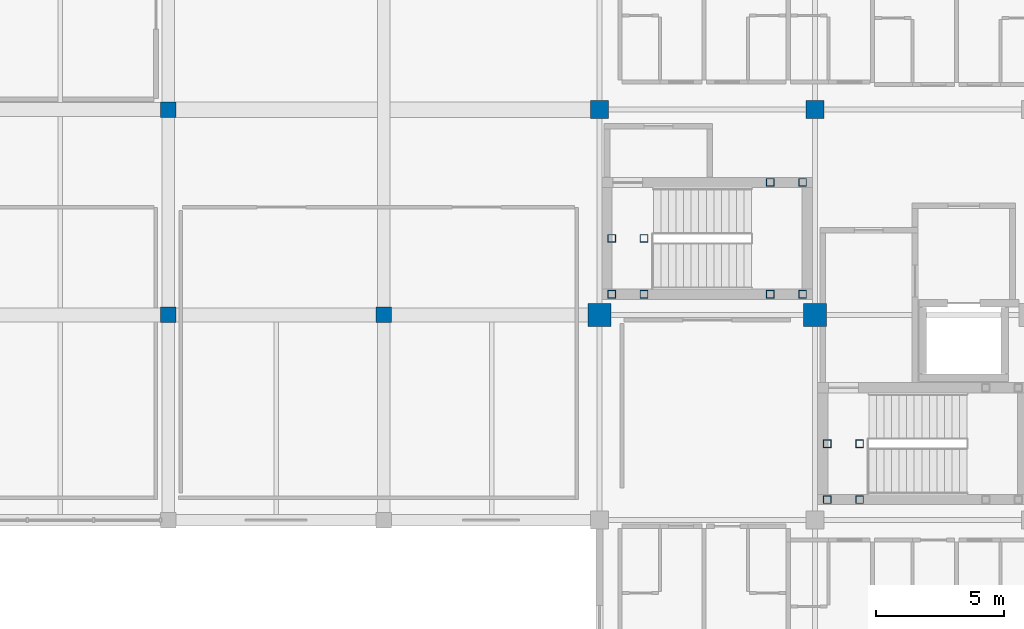
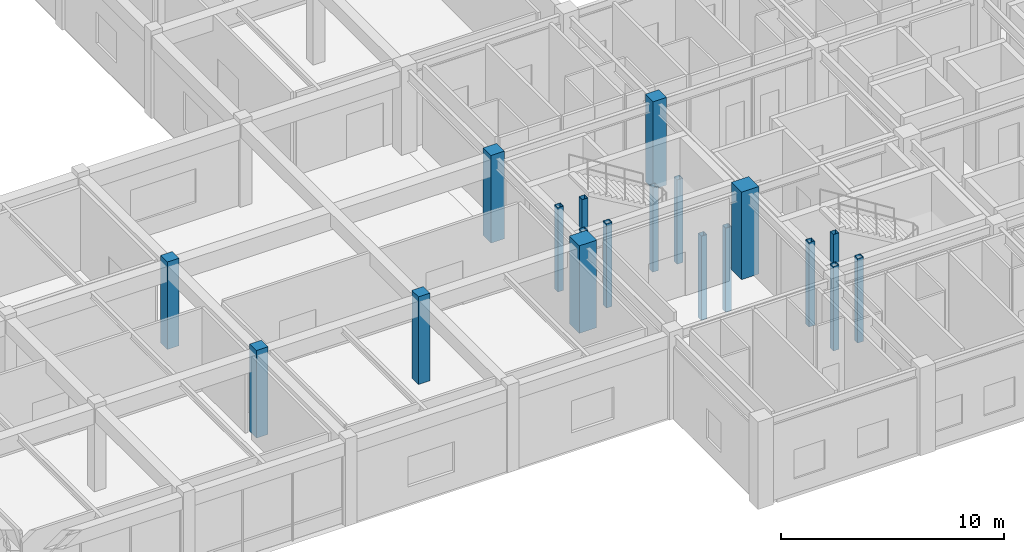
# One storey, part 2 of 37: 19 columns.
"""IFC4 building model written with IfcOpenShell, lengths in metres."""

from ifc_helpers import new_model, si_unit, direction, frame, origin, origin_2d, place, context, subcontext, project, spatial, rectangle, hollow_rectangle, extrude, material, material_profile, profile_set, type_object, element, save


model = new_model("IFC4")

# Units and contexts
model_context = context("Model", 3, precision=1e-05, world=origin(), true_north=direction((0.0, 1.0)))
body_context = subcontext(model_context, "Body", "Model", "MODEL_VIEW")
ifc_project = project(units=[si_unit("LENGTHUNIT", "METRE"), si_unit("AREAUNIT", "SQUARE_METRE"), si_unit("VOLUMEUNIT", "CUBIC_METRE"), si_unit("PLANEANGLEUNIT", "RADIAN"), si_unit("MASSUNIT", "GRAM", prefix="KILO")], contexts=[model_context])

# Site, building, storey
site_placement = place(None, origin())
site = spatial("IfcSite", under=ifc_project, at=site_placement, CompositionType="ELEMENT")
building_placement = place(site_placement, origin())
building = spatial("IfcBuilding", under=site, at=building_placement, Name="Naruveol Harbour Congress Hotel", CompositionType="ELEMENT")
storey_placement = place(building_placement, frame((0.0, 0.0, 16.199951171875)))
storey = spatial("IfcBuildingStorey", under=building, at=storey_placement, Name="L03", CompositionType="ELEMENT", Elevation=16.199951171875)

# Columns
ifc_material_1 = material(Name="Concrete C40/50", Category="concrete")
ifc_material_profile_1 = material_profile(ifc_material_1, rectangle(XDim=0.699951171875, YDim=0.699951171875, at=origin_2d()), Name="RC-700x700")
ifc_profile_set_1 = profile_set([ifc_material_profile_1], Name="Concrete C40/50")
column_type_1 = type_object("IfcColumnType", Name="RC HOTEL COLUMN 700X700", PredefinedType="COLUMN", material=ifc_profile_set_1)
for number, where, z_axis, x_axis, name in (
    (1, (117.60009765625, 24.0, 0.0), (0.0, 0.0, 1.0), (1.0, 0.0, 0.0), "Planted hotel column C-700 L03 S0/J3"),
    (2, (126.0, 24.0, 0.0), (0.0, 0.0, 1.0), (1.0, 0.0, 0.0), "Planted hotel column C-700 L03 S1/J3"),
):
    element("IfcColumn", number, at=place(storey_placement, frame(where, z_axis=z_axis, x_axis=x_axis)), inside=storey, type_object=column_type_1, Name=name, PredefinedType="COLUMN", context=body_context, shape_type="SweptSolid", body=[
        extrude(rectangle(XDim=0.699951171875, YDim=0.699951171875, at=origin_2d()), origin(), (0.0, 0.0, 1.0), 4.800048828125),
    ])
ifc_material_2 = material(Name="Concrete C50/60", Category="concrete")
ifc_material_profile_2 = material_profile(ifc_material_2, rectangle(XDim=0.89990234375, YDim=0.89990234375, at=origin_2d()), Name="RC-900x900")
ifc_profile_set_2 = profile_set([ifc_material_profile_2], Name="Concrete C50/60")
column_type_2 = type_object("IfcColumnType", Name="RC PRIMARY COLUMN 900X900", PredefinedType="COLUMN", material=ifc_profile_set_2)
for number, where, z_axis, x_axis, name in (
    (3, (117.60009765625, 16.0, 0.0), (0.0, 0.0, 1.0), (1.0, 0.0, 0.0), "Column C-900 L03 (117.6,16.0)"),
    (4, (126.0, 16.0, 0.0), (0.0, 0.0, 1.0), (1.0, 0.0, 0.0), "Column C-900 L03 (126.0,16.0)"),
):
    element("IfcColumn", number, at=place(storey_placement, frame(where, z_axis=z_axis, x_axis=x_axis)), inside=storey, type_object=column_type_2, Name=name, PredefinedType="COLUMN", context=body_context, shape_type="SweptSolid", body=[
        extrude(rectangle(XDim=0.89990234375, YDim=0.89990234375, at=origin_2d()), origin(), (0.0, 0.0, 1.0), 4.800048828125),
    ])
ifc_material_3 = material(Name="Concrete C40/50", Category="concrete")
ifc_material_profile_3 = material_profile(ifc_material_3, rectangle(XDim=0.60009765625, YDim=0.60009765625, at=origin_2d()), Name="RC-600x600")
ifc_profile_set_3 = profile_set([ifc_material_profile_3], Name="Concrete C40/50")
column_type_3 = type_object("IfcColumnType", Name="RC UPPER COLUMN 600X600", PredefinedType="COLUMN", material=ifc_profile_set_3)
for number, where, z_axis, x_axis, name in (
    (5, (100.800048828125, 16.0, 0.0), (0.0, 0.0, 1.0), (1.0, 0.0, 0.0), "Column C-600 L03 (100.8,16.0)"),
    (6, (100.800048828125, 24.0, 0.0), (0.0, 0.0, 1.0), (1.0, 0.0, 0.0), "Column C-600 L03 (100.8,24.0)"),
    (7, (109.199951171875, 16.0, 0.0), (0.0, 0.0, 1.0), (1.0, 0.0, 0.0), "Column C-600 L03 (109.2,16.0)"),
):
    element("IfcColumn", number, at=place(storey_placement, frame(where, z_axis=z_axis, x_axis=x_axis)), inside=storey, type_object=column_type_3, Name=name, PredefinedType="COLUMN", context=body_context, shape_type="SweptSolid", body=[
        extrude(rectangle(XDim=0.60009765625, YDim=0.60009765625, at=origin_2d()), origin(), (0.0, 0.0, 1.0), 4.800048828125),
    ])
ifc_material_4 = material(Name="Steel SN490", Category="steel")
ifc_material_profile_4 = material_profile(ifc_material_4, hollow_rectangle(XDim=0.300048828125, YDim=0.300048828125, WallThickness=0.011962890625, at=origin_2d()), Name="SHS-300x300x12")
ifc_profile_set_4 = profile_set([ifc_material_profile_4], Name="Steel SN490")
column_type_4 = type_object("IfcColumnType", Name="STEEL COLONNADE POST SHS300", PredefinedType="COLUMN", material=ifc_profile_set_4)
for number, where, z_axis, x_axis, name in (
    (8, (126.47998046875, 8.800048828125, 0.0), (0.0, 0.0, 1.0), (1.0, 0.0, 0.0), "Stair landing support post ST1W #5"),
    (9, (126.47998046875, 10.97998046875, 0.0), (0.0, 0.0, 1.0), (1.0, 0.0, 0.0), "Stair landing support post ST1W #17"),
    (10, (127.739990234375, 8.800048828125, 0.0), (0.0, 0.0, 1.0), (1.0, 0.0, 0.0), "Stair landing support post ST1W #29"),
    (11, (127.739990234375, 10.97998046875, 0.0), (0.0, 0.0, 1.0), (1.0, 0.0, 0.0), "Stair landing support post ST1W #41"),
    (12, (118.080078125, 16.800048828125, 0.0), (0.0, 0.0, 1.0), (1.0, 0.0, 0.0), "Stair landing support post ST3W #197"),
    (13, (118.080078125, 18.97998046875, 0.0), (0.0, 0.0, 1.0), (1.0, 0.0, 0.0), "Stair landing support post ST3W #207"),
    (14, (119.340087890625, 16.800048828125, 0.0), (0.0, 0.0, 1.0), (1.0, 0.0, 0.0), "Stair landing support post ST3W #217"),
    (15, (119.340087890625, 18.97998046875, 0.0), (0.0, 0.0, 1.0), (1.0, 0.0, 0.0), "Stair landing support post ST3W #227"),
):
    element("IfcColumn", number, at=place(storey_placement, frame(where, z_axis=z_axis, x_axis=x_axis)), inside=storey, type_object=column_type_4, Name=name, PredefinedType="COLUMN", context=body_context, shape_type="SweptSolid", body=[
        extrude(hollow_rectangle(XDim=0.300048828125, YDim=0.300048828125, WallThickness=0.011962890625, at=origin_2d()), origin(), (0.0, 0.0, 1.0), 4.6201171875),
    ])
for number, where, z_axis, x_axis, name in (
    (16, (124.260009765625, 16.800048828125, -2.39990234375), (0.0, 0.0, 1.0), (1.0, 0.0, 0.0), "Stair landing support post ST3E #237"),
    (17, (124.260009765625, 21.159912109375, -2.39990234375), (0.0, 0.0, 1.0), (1.0, 0.0, 0.0), "Stair landing support post ST3E #247"),
    (18, (125.52001953125, 16.800048828125, -2.39990234375), (0.0, 0.0, 1.0), (1.0, 0.0, 0.0), "Stair landing support post ST3E #257"),
    (19, (125.52001953125, 21.159912109375, -2.39990234375), (0.0, 0.0, 1.0), (1.0, 0.0, 0.0), "Stair landing support post ST3E #267"),
):
    element("IfcColumn", number, at=place(storey_placement, frame(where, z_axis=z_axis, x_axis=x_axis)), inside=storey, type_object=column_type_4, Name=name, PredefinedType="COLUMN", context=body_context, shape_type="SweptSolid", body=[
        extrude(hollow_rectangle(XDim=0.300048828125, YDim=0.300048828125, WallThickness=0.011962890625, at=origin_2d()), origin(), (0.0, 0.0, 1.0), 4.619873046875),
    ])

save(model, "model.ifc")
